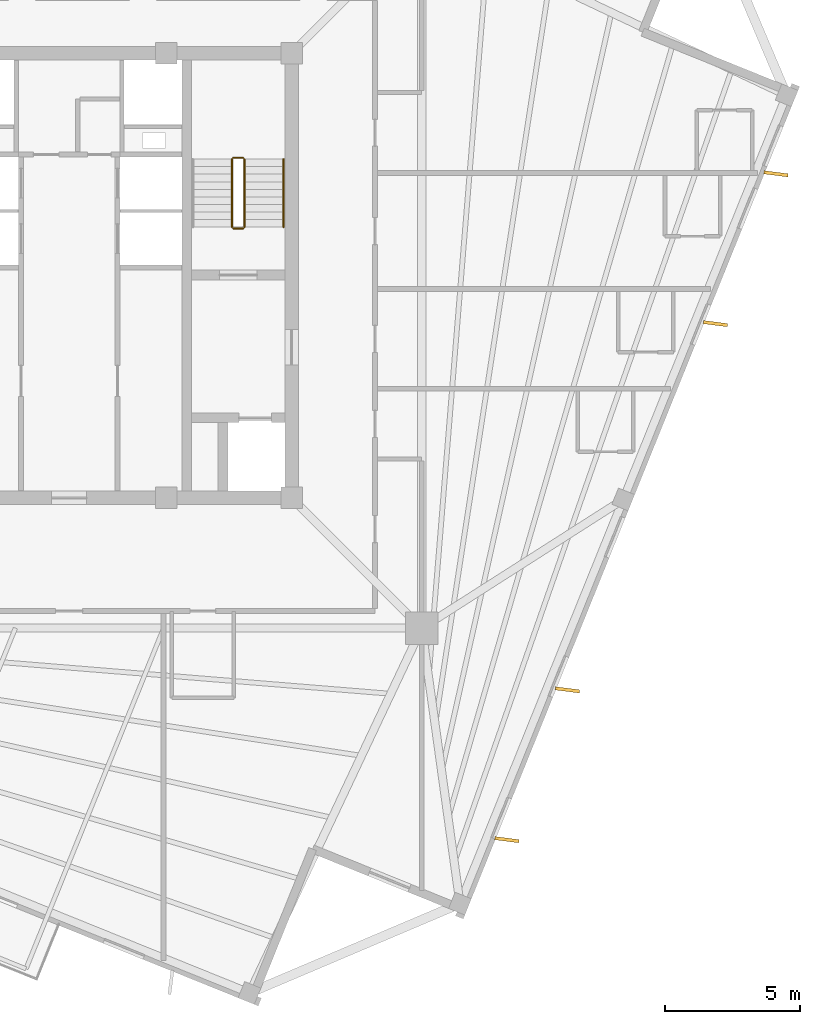
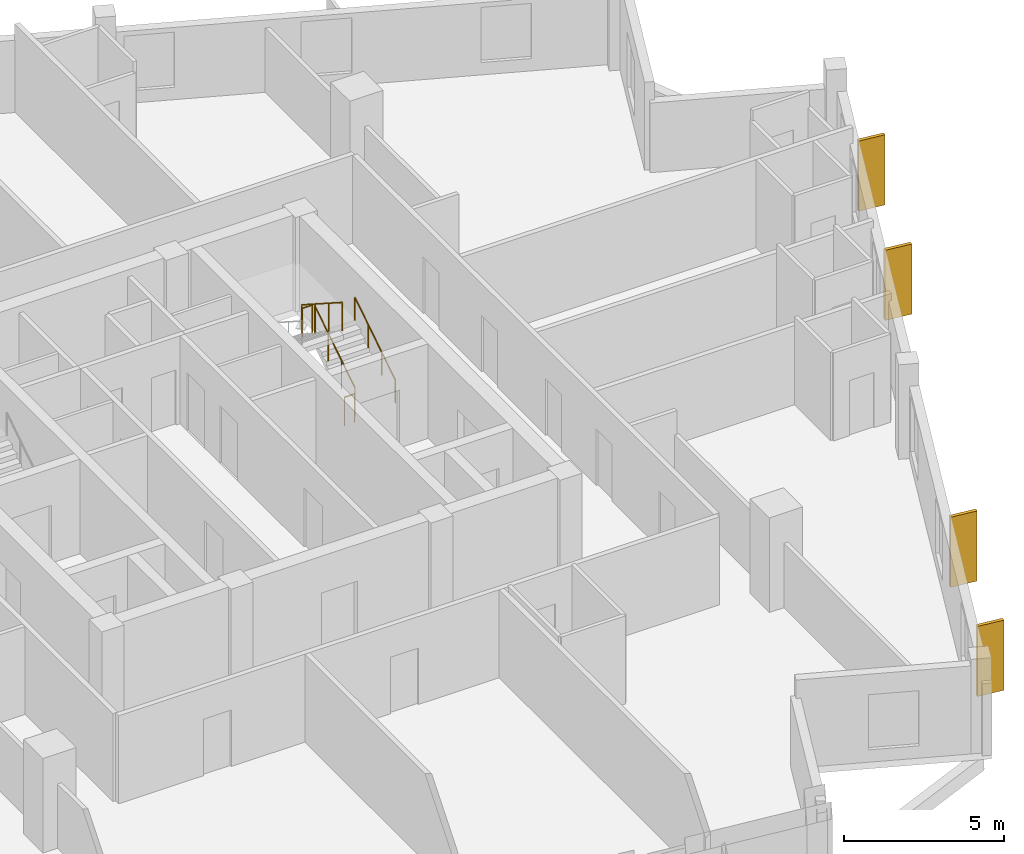
# One storey, part 8 of 9: 5 railings, 4 coverings.
"""IFC4 building model written with IfcOpenShell, lengths in metres."""

from ifc_helpers import new_model, si_unit, direction, frame, origin, origin_2d, place, context, subcontext, project, spatial, rectangle, circle, extrude, source, transform, mapped, material, layer, layer_set, type_object, element, save


model = new_model("IFC4")

# Units and contexts
model_context = context("Model", 3, precision=1e-05, world=origin(), true_north=direction((0.0, 1.0)))
body_context = subcontext(model_context, "Body", "Model", "MODEL_VIEW")
ifc_project = project(units=[si_unit("LENGTHUNIT", "METRE"), si_unit("AREAUNIT", "SQUARE_METRE"), si_unit("VOLUMEUNIT", "CUBIC_METRE"), si_unit("PLANEANGLEUNIT", "RADIAN"), si_unit("MASSUNIT", "GRAM", prefix="KILO"), si_unit("THERMODYNAMICTEMPERATUREUNIT", "KELVIN")], contexts=[model_context])

# Site, building, storey
site_placement = place(None, origin())
site = spatial("IfcSite", under=ifc_project, at=site_placement, CompositionType="ELEMENT")
building_placement = place(site_placement, origin())
building = spatial("IfcBuilding", under=site, at=building_placement, Name="Kosmvard Interchange Tower", CompositionType="ELEMENT")
storey_placement = place(building_placement, frame((0.0, 0.0, 297.60009765625)))
storey = spatial("IfcBuildingStorey", under=building, at=storey_placement, Name="L73", CompositionType="ELEMENT", Elevation=297.60009765625)

# Coverings
ifc_material_1 = material(Name="Architectural anodised aluminium", Category="aluminium")
ifc_layer = layer(ifc_material_1, 0.1201171875, Name="Architectural anodised aluminium")
ifc_layer_set = layer_set([ifc_layer], Name="Architectural anodised aluminium")
covering_type = type_object("IfcCoveringType", Name="Rotating Vertical Sun-Breaker Fin 900x120 Aluminium", PredefinedType="CLADDING", material=ifc_layer_set)
shared_shape_1 = source(origin(), body_context, "Body", "SweptSolid", [
    extrude(rectangle(XDim=0.89990234375, YDim=0.1201171875, at=origin_2d()), origin(), (0.0, 0.0, 1.0), 2.669921875),
])
for number, where, z_axis, x_axis, name in (
    (1, (16.2412109375, -20.932373046875, 0.0400390625), (0.0, 0.0, 1.0), (0.99178318013, -0.127930151302, 0.0), "L73 Rotating Vertical Sun-Breaker Fin 01"),
    (2, (18.4873046875, -15.373046875, 0.0400390625), (0.0, 0.0, 1.0), (0.99178318013, -0.127930151302, 0.0), "L73 Rotating Vertical Sun-Breaker Fin 02"),
    (3, (23.977783203125, -1.783935546875, 0.0400390625), (0.0, 0.0, 1.0), (0.99178318013, -0.127930151302, 0.0), "L73 Rotating Vertical Sun-Breaker Fin 03"),
    (4, (26.223876953125, 3.775390625, 0.0400390625), (0.0, 0.0, 1.0), (0.99178318013, -0.127930151302, 0.0), "L73 Rotating Vertical Sun-Breaker Fin 04"),
):
    element("IfcCovering", number, at=place(storey_placement, frame(where, z_axis=z_axis, x_axis=x_axis)), inside=storey, type_object=covering_type, Name=name, PredefinedType="CLADDING", context=body_context, shape_type="MappedRepresentation", body=[
        mapped(shared_shape_1, transform((0.0, 0.0, 0.0), scale=1.0)),
    ])

# Railings
ifc_material_2 = material(Name="Steel S355", Category="steel")
railing_type_1 = type_object("IfcRailingType", Name="Stair & Terrace Safety Guardrail 1100 Steel", PredefinedType="GUARDRAIL", material=ifc_material_2)
shared_shape_2 = source(origin(), body_context, "Body", "SweptSolid", [
    extrude(circle(Radius=0.02392578125, at=origin_2d()), frame((0.0, 0.0, 1.076171875), z_axis=(-1.0, 0.0, 0.0), x_axis=(0.0, -1.0, 0.0)), (0.0, 0.0, 1.0), 0.35986328125),
    extrude(circle(Radius=0.02099609375, at=origin_2d()), origin(), (0.0, 0.0, 1.0), 1.052001953125),
    extrude(circle(Radius=0.02099609375, at=origin_2d()), frame((-0.35986328125, 0.0, 0.0)), (0.0, 0.0, 1.0), 1.052001953125),
])
for number, where, name in (
    (5, (6.449951171875, 4.3701171875, 1.7998046875), "L73 ST-2 stair guard 2"),
    (6, (6.449951171875, 1.75, 0.0), "L73 ST-2 stair guard 4"),
):
    element("IfcRailing", number, at=place(storey_placement, frame(where)), inside=storey, type_object=railing_type_1, Name=name, PredefinedType="GUARDRAIL", context=body_context, shape_type="MappedRepresentation", body=[
        mapped(shared_shape_2, transform((0.0, 0.0, 0.0), scale=1.0)),
    ])
shared_shape_3 = source(origin(), body_context, "Body", "SweptSolid", [
    extrude(circle(Radius=0.02392578125, at=origin_2d()), frame((0.0, 0.0, 1.076171875), z_axis=(0.0, -0.841199657755, 0.540724639528), x_axis=(1.0, 0.0, 0.0)), (0.0, 0.0, 1.0), 2.995849609375),
    extrude(circle(Radius=0.02099609375, at=origin_2d()), origin(), (0.0, 0.0, 1.0), 1.052001953125),
    extrude(circle(Radius=0.02099609375, at=origin_2d()), frame((0.0, -0.840087890625, 0.5400390625)), (0.0, 0.0, 1.0), 1.052001953125),
    extrude(circle(Radius=0.02099609375, at=origin_2d()), frame((0.0, -1.679931640625, 1.079833984375)), (0.0, 0.0, 1.0), 1.052001953125),
    extrude(circle(Radius=0.02099609375, at=origin_2d()), frame((0.0, -2.52001953125, 1.619873046875)), (0.0, 0.0, 1.0), 1.052001953125),
])
railing_1_placement = place(storey_placement, frame((6.0400390625, 4.320068359375, 1.97998046875)))
element("IfcRailing", 7, at=railing_1_placement, inside=storey, type_object=railing_type_1, Name="L73 ST-2 stair guard 3", PredefinedType="GUARDRAIL", context=body_context, shape_type="MappedRepresentation", body=[
    mapped(shared_shape_3, transform((0.0, 0.0, 0.0), scale=1.0)),
])
shared_shape_4 = source(origin(), body_context, "Body", "SweptSolid", [
    extrude(circle(Radius=0.02392578125, at=origin_2d()), frame((0.0, 0.0, 1.076171875), z_axis=(0.0, 0.841199657755, 0.540724639528), x_axis=(-1.0, 0.0, 0.0)), (0.0, 0.0, 1.0), 2.995849609375),
    extrude(circle(Radius=0.02099609375, at=origin_2d()), origin(), (0.0, 0.0, 1.0), 1.052001953125),
    extrude(circle(Radius=0.02099609375, at=origin_2d()), frame((0.0, 0.840087890625, 0.5400390625)), (0.0, 0.0, 1.0), 1.052001953125),
    extrude(circle(Radius=0.02099609375, at=origin_2d()), frame((0.0, 1.679931640625, 1.079833984375)), (0.0, 0.0, 1.0), 1.052001953125),
    extrude(circle(Radius=0.02099609375, at=origin_2d()), frame((0.0, 2.52001953125, 1.619873046875)), (0.0, 0.0, 1.0), 1.052001953125),
])
railing_2_placement = place(storey_placement, frame((6.5, 1.800048828125, 0.179931640625)))
element("IfcRailing", 8, at=railing_2_placement, inside=storey, type_object=railing_type_1, Name="L73 ST-2 stair guard 1", PredefinedType="GUARDRAIL", context=body_context, shape_type="MappedRepresentation", body=[
    mapped(shared_shape_4, transform((0.0, 0.0, 0.0), scale=1.0)),
])
railing_type_2 = type_object("IfcRailingType", Name="Wall-Mounted Stair Handrail 900 Steel", PredefinedType="HANDRAIL", material=ifc_material_2)
shared_shape_5 = source(origin(), body_context, "Body", "SweptSolid", [
    extrude(circle(Radius=0.02392578125, at=origin_2d()), frame((0.0, 0.0, 0.8759765625), z_axis=(0.0, 0.841199657755, 0.540724639528), x_axis=(-1.0, 0.0, 0.0)), (0.0, 0.0, 1.0), 2.995849609375),
    extrude(circle(Radius=0.02099609375, at=origin_2d()), origin(), (0.0, 0.0, 1.0), 0.851806640625),
    extrude(circle(Radius=0.02099609375, at=origin_2d()), frame((0.0, 0.840087890625, 0.5400390625)), (0.0, 0.0, 1.0), 0.851806640625),
    extrude(circle(Radius=0.02099609375, at=origin_2d()), frame((0.0, 1.679931640625, 1.079833984375)), (0.0, 0.0, 1.0), 0.851806640625),
    extrude(circle(Radius=0.02099609375, at=origin_2d()), frame((0.0, 2.52001953125, 1.619873046875)), (0.0, 0.0, 1.0), 0.851806640625),
])
railing_3_placement = place(storey_placement, frame((7.949951171875, 1.800048828125, 0.179931640625)))
element("IfcRailing", 9, at=railing_3_placement, inside=storey, type_object=railing_type_2, Name="L73 ST-2 stair handrail 1", PredefinedType="HANDRAIL", context=body_context, shape_type="MappedRepresentation", body=[
    mapped(shared_shape_5, transform((0.0, 0.0, 0.0), scale=1.0)),
])

save(model, "model.ifc")
